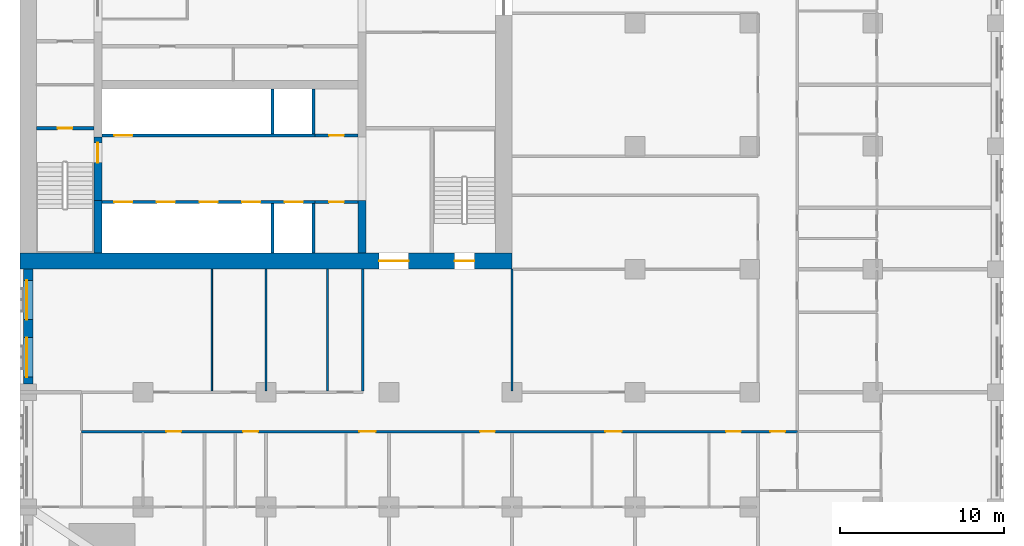
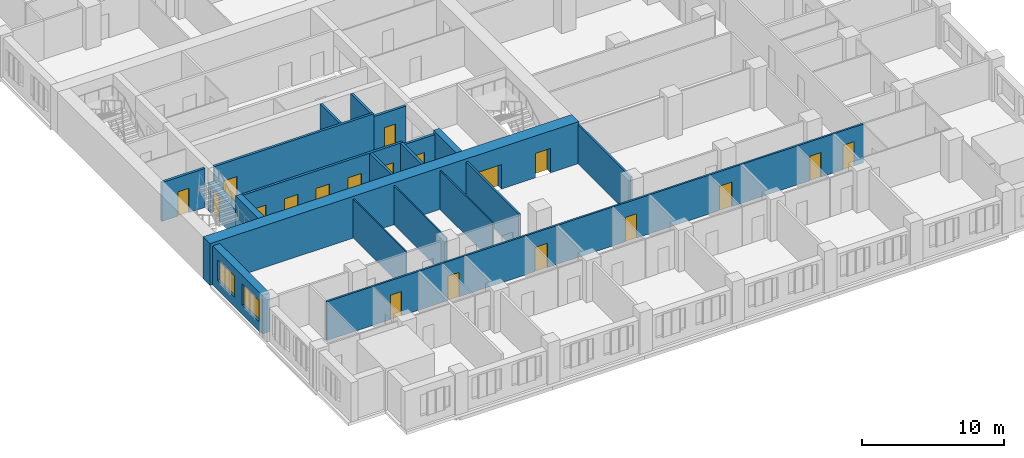
# One storey, part 5 of 14: 20 walls, 19 doors, 2 windows, 21 openings.
"""IFC4 building model written with IfcOpenShell, lengths in metres."""

import ifcopenshell
import ifcopenshell.guid

model = None  # the IFC model being written
_history = None  # IfcOwnerHistory: only IFC2X3 demands one
_inside = {}  # id of a spatial element -> (the spatial element, [elements in it])
_under = {}  # id of a project, library or spatial element -> (it, [spatial elements below it])
_declared = {}  # id of a project -> (the project, [libraries it declares])
_typed = {}  # id of a type object -> (the type object, [elements of that type])
_made_of = {}  # id of a material, layer set ... -> (it, [elements and type objects made of it])


def new_model(schema):
    """Start an empty IFC model of exactly this schema.

    Asked for "IFC4X3", IfcOpenShell would pick the latest addendum, in which some entities
    have other attributes; the version numbers below select the first issue.
    IFC2X3 requires an IfcOwnerHistory on every rooted entity: one is made here for all.
    """
    global model, _history
    if schema == "IFC4X3":
        model = ifcopenshell.file(schema_version=(4, 3, 0, 0))
    else:
        model = ifcopenshell.file(schema=schema)
    _inside.clear()
    _under.clear()
    _declared.clear()
    _typed.clear()
    _made_of.clear()
    _history = None
    if model.schema == "IFC2X3":
        org = make("IfcOrganization", Name="unknown")
        user = make(
            "IfcPersonAndOrganization",
            ThePerson=make("IfcPerson", FamilyName="unknown"),
            TheOrganization=org,
        )
        app = make(
            "IfcApplication",
            ApplicationDeveloper=org,
            Version="unknown",
            ApplicationFullName="unknown",
            ApplicationIdentifier="unknown",
        )
        _history = make(
            "IfcOwnerHistory",
            OwningUser=user,
            OwningApplication=app,
            ChangeAction="ADDED",
            CreationDate=0,
        )
    return model


def make(cls, **values):
    """One entity of the class cls with the attributes given. An attribute that is None is left unset."""
    return model.create_entity(
        cls, **{name: value for name, value in values.items() if value is not None}
    )


def rooted(cls, **values):
    """An entity with a GlobalId (a new one), such as an element, a storey or a relation."""
    return make(cls, GlobalId=ifcopenshell.guid.new(), OwnerHistory=_history, **values)


def si_unit(unit_type, name, prefix=None):
    """IfcSIUnit, for example si_unit("LENGTHUNIT", "METRE", prefix="MILLI")."""
    return make("IfcSIUnit", UnitType=unit_type, Prefix=prefix, Name=name)


def assignment(units):
    """IfcUnitAssignment: the units of a project."""
    return None if units is None else make("IfcUnitAssignment", Units=units)


def point(xyz):
    """IfcCartesianPoint."""
    return None if xyz is None else make("IfcCartesianPoint", Coordinates=xyz)


def direction(xyz):
    """IfcDirection."""
    return None if xyz is None else make("IfcDirection", DirectionRatios=xyz)


def frame(location, z_axis=None, x_axis=None):
    """IfcAxis2Placement3D, a coordinate frame: its origin and axes. An axis left out is left unset."""
    return make(
        "IfcAxis2Placement3D",
        Location=point(location),
        Axis=direction(z_axis),
        RefDirection=direction(x_axis),
    )


def frame_2d(location, x_axis=None):
    """IfcAxis2Placement2D, a coordinate frame in the plane: its origin and x axis."""
    return make(
        "IfcAxis2Placement2D", Location=point(location), RefDirection=direction(x_axis)
    )


def origin():
    """The frame at (0, 0, 0) with its axes left unset."""
    return frame((0.0, 0.0, 0.0))


def place(relative_to, where):
    """IfcLocalPlacement: puts the frame where relative to a parent placement (None: the world)."""
    return make(
        "IfcLocalPlacement", PlacementRelTo=relative_to, RelativePlacement=where
    )


def context(
    kind, dimensions, precision=None, world=None, true_north=None, identifier=None
):
    """IfcGeometricRepresentationContext, for example the 3D "Model" context."""
    return make(
        "IfcGeometricRepresentationContext",
        ContextIdentifier=identifier,
        ContextType=kind,
        CoordinateSpaceDimension=dimensions,
        Precision=precision,
        WorldCoordinateSystem=world,
        TrueNorth=true_north,
    )


def subcontext(parent, identifier, kind, view, scale=None):
    """IfcGeometricRepresentationSubContext, for example "Body" below "Model"."""
    return make(
        "IfcGeometricRepresentationSubContext",
        ContextIdentifier=identifier,
        ContextType=kind,
        ParentContext=parent,
        TargetScale=scale,
        TargetView=view,
    )


def project(units=None, contexts=None):
    """IfcProject with its units and contexts."""
    return rooted(
        "IfcProject",
        Name="project",
        RepresentationContexts=contexts,
        UnitsInContext=assignment(units),
    )


def spatial(cls, under=None, at=None, **own):
    """A site, building, storey or space (cls), placed at a placement, below another one or the project."""
    s = rooted(cls, ObjectPlacement=at, **own)
    if under is not None:
        _under.setdefault(under.id(), (under, []))[1].append(s)
    return s


def profile(cls, at=None, kind="AREA", **sizes):
    """A parametric profile (cls). Its sizes go by their IFC names, for example OverallWidth=200.0."""
    return make(cls, ProfileType=kind, Position=at, **sizes)


def rectangle(**sizes):
    """IfcRectangleProfileDef."""
    return profile("IfcRectangleProfileDef", **sizes)


def extrude(swept, where, along, depth):
    """IfcExtrudedAreaSolid: the profile swept, set in the frame where, extruded along a direction by depth."""
    return make(
        "IfcExtrudedAreaSolid",
        SweptArea=swept,
        Position=where,
        ExtrudedDirection=direction(along),
        Depth=depth,
    )


def shape(context_of_items, identifier, shape_type, items):
    """IfcShapeRepresentation: the items that make up one representation, for example the "Body"."""
    return make(
        "IfcShapeRepresentation",
        ContextOfItems=context_of_items,
        RepresentationIdentifier=identifier,
        RepresentationType=shape_type,
        Items=items,
    )


def material(Name=None, Category=None):
    """IfcMaterial."""
    return make("IfcMaterial", Name=Name, Category=Category)


def layer(
    of_material, thickness, ventilated=None, Name=None, Category=None, Priority=None
):
    """IfcMaterialLayer: one layer of a wall or slab, of a material (None: an air gap)."""
    return make(
        "IfcMaterialLayer",
        Material=of_material,
        LayerThickness=thickness,
        IsVentilated=ventilated,
        Name=Name,
        Category=Category,
        Priority=Priority,
    )


def layer_set(layers, Name=None):
    """IfcMaterialLayerSet."""
    return make("IfcMaterialLayerSet", MaterialLayers=layers, LayerSetName=Name)


def made_of(thing, what):
    """Note that an element or type object is made of a material, layer set ...; save() writes the relation."""
    if what is not None:
        _made_of.setdefault(what.id(), (what, []))[1].append(thing)
    return thing


def type_object(cls, material=None, **own):
    """A type object (cls), such as IfcWallType, which elements share."""
    return made_of(rooted(cls, **own), material)


def element(
    cls,
    number,
    at=None,
    inside=None,
    cuts=None,
    type_object=None,
    material=None,
    context=None,
    identifier="Body",
    shape_type=None,
    held_by="IfcProductDefinitionShape",
    body=None,
    shapes=None,
    **own,
):
    """One element of the class cls, such as IfcWall. Its Tag is "e" and its number.

    at: its placement. inside: the storey or other place that contains it. cuts: it is an
    opening in that element (IfcRelVoidsElement). A single representation is given by context,
    identifier, shape_type and body (its items); several are given by shapes. held_by: the class
    of the entity that holds the representations. save() writes the other relations.
    """
    e = rooted(cls, Tag="e%d" % number, ObjectPlacement=at, **own)
    if body is not None:
        shapes = [shape(context, identifier, shape_type, body)]
    if shapes is not None:
        e.Representation = make(held_by, Representations=shapes)
    if inside is not None:
        _inside.setdefault(inside.id(), (inside, []))[1].append(e)
    if cuts is not None:
        rooted(
            "IfcRelVoidsElement", RelatingBuildingElement=cuts, RelatedOpeningElement=e
        )
    if type_object is not None:
        _typed.setdefault(type_object.id(), (type_object, []))[1].append(e)
    return made_of(e, material)


def fill(opening, filler):
    """IfcRelFillsElement: the door or window that sits in an opening."""
    return rooted(
        "IfcRelFillsElement",
        RelatingOpeningElement=opening,
        RelatedBuildingElement=filler,
    )


def aggregate(whole, parts):
    """IfcRelAggregates: a whole, such as a stair, and the parts it consists of."""
    return rooted("IfcRelAggregates", RelatingObject=whole, RelatedObjects=parts)


def save(model, path):
    """Write the relations noted so far, then the file.

    IfcRelAggregates (storeys below a building ...), IfcRelContainedInSpatialStructure (elements
    in a storey), IfcRelDefinesByType, IfcRelAssociatesMaterial and IfcRelDeclares: one each for
    every whole, place, type object, material and project.
    """
    for whole, parts in _under.values():
        aggregate(whole, parts)
    for where, things in _inside.values():
        rooted(
            "IfcRelContainedInSpatialStructure",
            RelatedElements=things,
            RelatingStructure=where,
        )
    for kind, things in _typed.values():
        rooted("IfcRelDefinesByType", RelatedObjects=things, RelatingType=kind)
    for what, things in _made_of.values():
        rooted("IfcRelAssociatesMaterial", RelatedObjects=things, RelatingMaterial=what)
    for by, libraries in _declared.values():
        rooted("IfcRelDeclares", RelatingContext=by, RelatedDefinitions=libraries)
    model.write(path)


model = new_model("IFC4")

# Units and contexts
model_context = context("Model", 3, precision=1e-05, world=origin(), true_north=direction((0.0, 1.0)))
body_context = subcontext(model_context, "Body", "Model", "MODEL_VIEW")
ifc_project = project(units=[si_unit("LENGTHUNIT", "METRE"), si_unit("AREAUNIT", "SQUARE_METRE"), si_unit("VOLUMEUNIT", "CUBIC_METRE"), si_unit("PLANEANGLEUNIT", "RADIAN"), si_unit("MASSUNIT", "GRAM", prefix="KILO")], contexts=[model_context])

# Site, building, storey
site_placement = place(None, origin())
site = spatial("IfcSite", under=ifc_project, at=site_placement, CompositionType="ELEMENT")
building_placement = place(site_placement, origin())
building = spatial("IfcBuilding", under=site, at=building_placement, Name="Tamorin Gate", CompositionType="ELEMENT")
storey_placement = place(building_placement, frame((0.0, 0.0, 59.199951171875)))
storey = spatial("IfcBuildingStorey", under=building, at=storey_placement, Name="L13", CompositionType="ELEMENT", Elevation=59.199951171875)

# Wall, openings, windows
ifc_material_1 = material(Name="Precast concrete C40/50", Category="concrete")
ifc_layer_1 = layer(ifc_material_1, 0.60009765625)
ifc_layer_set_1 = layer_set([ifc_layer_1], Name="Precast concrete C40/50")
wall_type_1 = type_object("IfcWallType", Name="Board-marked concrete facade panel 600", PredefinedType="SOLIDWALL", material=ifc_layer_set_1)
wall_1_placement = place(storey_placement, frame((30.5, 60.0, 0.0), z_axis=(0.0, 0.0, 1.0), x_axis=(0.0, -1.0, 0.0)))
wall_1 = element("IfcWall", 1, at=wall_1_placement, inside=storey, type_object=wall_type_1, Name="Facade panel", PredefinedType="SOLIDWALL", context=body_context, shape_type="SweptSolid", body=[
    extrude(rectangle(XDim=7.0, YDim=0.60009765625, at=frame_2d((3.5, 0.0))), origin(), (0.0, 0.0, 1.0), 3.35009765625),
])
opening_1_placement = place(wall_1_placement, frame((4.175048828125, 0.0, 0.800048828125)))
opening_1 = element("IfcOpeningElement", 2, at=opening_1_placement, cuts=wall_1, Name="Opening WN1", PredefinedType="OPENING", context=body_context, shape_type="SweptSolid", body=[
    extrude(rectangle(XDim=2.39990234375, YDim=1.800048828125, at=frame_2d((1.199951171875, 0.89990234375))), frame((0.0, 0.31005859375, 0.0), z_axis=(0.0, -1.0, 0.0), x_axis=(1.0, 0.0, 0.0)), (0.0, 0.0, 1.0), 0.6201171875),
])
opening_2_placement = place(wall_1_placement, frame((0.675048828125, 0.0, 0.800048828125)))
opening_2 = element("IfcOpeningElement", 3, at=opening_2_placement, cuts=wall_1, Name="Opening WN1", PredefinedType="OPENING", context=body_context, shape_type="SweptSolid", body=[
    extrude(rectangle(XDim=2.39990234375, YDim=1.800048828125, at=frame_2d((1.199951171875, 0.89990234375))), frame((0.0, 0.31005859375, 0.0), z_axis=(0.0, -1.0, 0.0), x_axis=(1.0, 0.0, 0.0)), (0.0, 0.0, 1.0), 0.6201171875),
])
ifc_material_2 = material(Name="Clear glass in aluminium frame", Category="aluminium")
window_type = type_object("IfcWindowType", Name="Deep-set window 2400x1800", PartitioningType="SINGLE_PANEL", PredefinedType="WINDOW", material=ifc_material_2)
window_1_placement = place(opening_1_placement, origin())
window_1 = element("IfcWindow", 4, at=window_1_placement, inside=storey, type_object=window_type, Name="Deep-set window", OverallHeight=1.800048828125, OverallWidth=2.39990234375, PartitioningType="SINGLE_PANEL", PredefinedType="WINDOW", context=body_context, shape_type="SweptSolid", body=[
    extrude(rectangle(XDim=2.39990234375, YDim=1.800048828125, at=frame_2d((1.199951171875, 0.89990234375))), frame((0.0, -0.070068359375, 0.0), z_axis=(0.0, -1.0, 0.0), x_axis=(1.0, 0.0, 0.0)), (0.0, 0.0, 1.0), 0.06005859375),
])
fill(opening_1, window_1)
window_2_placement = place(opening_2_placement, origin())
window_2 = element("IfcWindow", 5, at=window_2_placement, inside=storey, type_object=window_type, Name="Deep-set window", OverallHeight=1.800048828125, OverallWidth=2.39990234375, PartitioningType="SINGLE_PANEL", PredefinedType="WINDOW", context=body_context, shape_type="SweptSolid", body=[
    extrude(rectangle(XDim=2.39990234375, YDim=1.800048828125, at=frame_2d((1.199951171875, 0.89990234375))), frame((0.0, -0.070068359375, 0.0), z_axis=(0.0, -1.0, 0.0), x_axis=(1.0, 0.0, 0.0)), (0.0, 0.0, 1.0), 0.06005859375),
])
fill(opening_2, window_2)

# Wall, openings, doors
ifc_material_3 = material(Name="Gypsum board partition")
ifc_layer_2 = layer(ifc_material_3, 0.14990234375)
ifc_layer_set_2 = layer_set([ifc_layer_2], Name="Corridor wall 150")
wall_type_2 = type_object("IfcWallType", Name="Corridor wall 150", PredefinedType="PARTITIONING", material=ifc_layer_set_2)
wall_2_placement = place(storey_placement, frame((33.75, 50.10009765625, 0.0), z_axis=(0.0, 0.0, 1.0), x_axis=(1.0, 0.0, 0.0)))
wall_2 = element("IfcWall", 6, at=wall_2_placement, inside=storey, type_object=wall_type_2, Name="Corridor wall 150", PredefinedType="PARTITIONING", context=body_context, shape_type="SweptSolid", body=[
    extrude(rectangle(XDim=43.64990234375, YDim=0.14990234375, at=frame_2d((21.824951171875, 0.0))), origin(), (0.0, 0.0, 1.0), 3.35009765625),
])
opening_3_placement = place(wall_2_placement, frame((5.175048828125, 0.0, 0.0)))
opening_3 = element("IfcOpeningElement", 7, at=opening_3_placement, cuts=wall_2, Name="Opening DH4003", PredefinedType="OPENING", context=body_context, shape_type="SweptSolid", body=[
    extrude(rectangle(XDim=0.89990234375, YDim=2.10009765625, at=frame_2d((0.449951171875, 1.050048828125))), frame((0.0, 0.0849609375, 0.0), z_axis=(0.0, -1.0, 0.0), x_axis=(1.0, 0.0, 0.0)), (0.0, 0.0, 1.0), 0.169921875),
])
opening_4_placement = place(wall_2_placement, frame((9.862548828125, 0.0, 0.0)))
opening_4 = element("IfcOpeningElement", 8, at=opening_4_placement, cuts=wall_2, Name="Opening DH4006", PredefinedType="OPENING", context=body_context, shape_type="SweptSolid", body=[
    extrude(rectangle(XDim=0.89990234375, YDim=2.10009765625, at=frame_2d((0.449951171875, 1.050048828125))), frame((0.0, 0.0849609375, 0.0), z_axis=(0.0, -1.0, 0.0), x_axis=(1.0, 0.0, 0.0)), (0.0, 0.0, 1.0), 0.169921875),
])
opening_5_placement = place(wall_2_placement, frame((16.9375, 0.0, 0.0)))
opening_5 = element("IfcOpeningElement", 9, at=opening_5_placement, cuts=wall_2, Name="Opening DH4009", PredefinedType="OPENING", context=body_context, shape_type="SweptSolid", body=[
    extrude(rectangle(XDim=1.0, YDim=2.10009765625, at=frame_2d((0.5, 1.050048828125))), frame((0.0, 0.0849609375, 0.0), z_axis=(0.0, -1.0, 0.0), x_axis=(1.0, 0.0, 0.0)), (0.0, 0.0, 1.0), 0.169921875),
])
opening_6_placement = place(wall_2_placement, frame((24.300048828125, 0.0, 0.0)))
opening_6 = element("IfcOpeningElement", 10, at=opening_6_placement, cuts=wall_2, Name="Opening DH4012", PredefinedType="OPENING", context=body_context, shape_type="SweptSolid", body=[
    extrude(rectangle(XDim=0.89990234375, YDim=2.10009765625, at=frame_2d((0.449951171875, 1.050048828125))), frame((0.0, 0.0849609375, 0.0), z_axis=(0.0, -1.0, 0.0), x_axis=(1.0, 0.0, 0.0)), (0.0, 0.0, 1.0), 0.169921875),
])
opening_7_placement = place(wall_2_placement, frame((31.9375, 0.0, 0.0)))
opening_7 = element("IfcOpeningElement", 11, at=opening_7_placement, cuts=wall_2, Name="Opening DH4015", PredefinedType="OPENING", context=body_context, shape_type="SweptSolid", body=[
    extrude(rectangle(XDim=1.0, YDim=2.10009765625, at=frame_2d((0.5, 1.050048828125))), frame((0.0, 0.0849609375, 0.0), z_axis=(0.0, -1.0, 0.0), x_axis=(1.0, 0.0, 0.0)), (0.0, 0.0, 1.0), 0.169921875),
])
opening_8_placement = place(wall_2_placement, frame((39.300048828125, 0.0, 0.0)))
opening_8 = element("IfcOpeningElement", 12, at=opening_8_placement, cuts=wall_2, Name="Opening DH4018", PredefinedType="OPENING", context=body_context, shape_type="SweptSolid", body=[
    extrude(rectangle(XDim=0.89990234375, YDim=2.10009765625, at=frame_2d((0.449951171875, 1.050048828125))), frame((0.0, 0.0849609375, 0.0), z_axis=(0.0, -1.0, 0.0), x_axis=(1.0, 0.0, 0.0)), (0.0, 0.0, 1.0), 0.169921875),
])
opening_9_placement = place(wall_2_placement, frame((42.0, 0.0, 0.0)))
opening_9 = element("IfcOpeningElement", 13, at=opening_9_placement, cuts=wall_2, Name="Opening DH4060", PredefinedType="OPENING", context=body_context, shape_type="SweptSolid", body=[
    extrude(rectangle(XDim=0.89990234375, YDim=2.10009765625, at=frame_2d((0.449951171875, 1.050048828125))), frame((0.0, 0.0849609375, 0.0), z_axis=(0.0, -1.0, 0.0), x_axis=(1.0, 0.0, 0.0)), (0.0, 0.0, 1.0), 0.169921875),
])
ifc_material_4 = material(Name="Timber door leaf", Category="wood")
door_type_1 = type_object("IfcDoorType", Name="Door 1000 x 2100 FD30S", OperationType="NOTDEFINED", PredefinedType="DOOR", material=ifc_material_4)
door_1_placement = place(opening_5_placement, origin())
door_1 = element("IfcDoor", 14, at=door_1_placement, inside=storey, type_object=door_type_1, Name="Door DH4009", OperationType="SINGLE_SWING_RIGHT", OverallHeight=2.10009765625, OverallWidth=1.0, PredefinedType="DOOR", context=body_context, shape_type="SweptSolid", body=[
    extrude(rectangle(XDim=1.0, YDim=2.10009765625, at=frame_2d((0.5, 1.050048828125))), frame((0.0, 0.02490234375, 0.0), z_axis=(0.0, -1.0, 0.0), x_axis=(1.0, 0.0, 0.0)), (0.0, 0.0, 1.0), 0.050048828125),
])
fill(opening_5, door_1)
door_2_placement = place(opening_7_placement, origin())
door_2 = element("IfcDoor", 15, at=door_2_placement, inside=storey, type_object=door_type_1, Name="Door DH4015", OperationType="SINGLE_SWING_RIGHT", OverallHeight=2.10009765625, OverallWidth=1.0, PredefinedType="DOOR", context=body_context, shape_type="SweptSolid", body=[
    extrude(rectangle(XDim=1.0, YDim=2.10009765625, at=frame_2d((0.5, 1.050048828125))), frame((0.0, 0.02490234375, 0.0), z_axis=(0.0, -1.0, 0.0), x_axis=(1.0, 0.0, 0.0)), (0.0, 0.0, 1.0), 0.050048828125),
])
fill(opening_7, door_2)
door_type_2 = type_object("IfcDoorType", Name="Door 900 x 2100 FD30S", OperationType="NOTDEFINED", PredefinedType="DOOR", material=ifc_material_4)
door_3_placement = place(opening_3_placement, origin())
door_3 = element("IfcDoor", 16, at=door_3_placement, inside=storey, type_object=door_type_2, Name="Door DH4003", OperationType="SINGLE_SWING_RIGHT", OverallHeight=2.10009765625, OverallWidth=0.89990234375, PredefinedType="DOOR", context=body_context, shape_type="SweptSolid", body=[
    extrude(rectangle(XDim=0.89990234375, YDim=2.10009765625, at=frame_2d((0.449951171875, 1.050048828125))), frame((0.0, 0.02490234375, 0.0), z_axis=(0.0, -1.0, 0.0), x_axis=(1.0, 0.0, 0.0)), (0.0, 0.0, 1.0), 0.050048828125),
])
fill(opening_3, door_3)
door_4_placement = place(opening_4_placement, origin())
door_4 = element("IfcDoor", 17, at=door_4_placement, inside=storey, type_object=door_type_2, Name="Door DH4006", OperationType="SINGLE_SWING_RIGHT", OverallHeight=2.10009765625, OverallWidth=0.89990234375, PredefinedType="DOOR", context=body_context, shape_type="SweptSolid", body=[
    extrude(rectangle(XDim=0.89990234375, YDim=2.10009765625, at=frame_2d((0.449951171875, 1.050048828125))), frame((0.0, 0.02490234375, 0.0), z_axis=(0.0, -1.0, 0.0), x_axis=(1.0, 0.0, 0.0)), (0.0, 0.0, 1.0), 0.050048828125),
])
fill(opening_4, door_4)
door_5_placement = place(opening_6_placement, origin())
door_5 = element("IfcDoor", 18, at=door_5_placement, inside=storey, type_object=door_type_2, Name="Door DH4012", OperationType="SINGLE_SWING_RIGHT", OverallHeight=2.10009765625, OverallWidth=0.89990234375, PredefinedType="DOOR", context=body_context, shape_type="SweptSolid", body=[
    extrude(rectangle(XDim=0.89990234375, YDim=2.10009765625, at=frame_2d((0.449951171875, 1.050048828125))), frame((0.0, 0.02490234375, 0.0), z_axis=(0.0, -1.0, 0.0), x_axis=(1.0, 0.0, 0.0)), (0.0, 0.0, 1.0), 0.050048828125),
])
fill(opening_6, door_5)
door_6_placement = place(opening_8_placement, origin())
door_6 = element("IfcDoor", 19, at=door_6_placement, inside=storey, type_object=door_type_2, Name="Door DH4018", OperationType="SINGLE_SWING_RIGHT", OverallHeight=2.10009765625, OverallWidth=0.89990234375, PredefinedType="DOOR", context=body_context, shape_type="SweptSolid", body=[
    extrude(rectangle(XDim=0.89990234375, YDim=2.10009765625, at=frame_2d((0.449951171875, 1.050048828125))), frame((0.0, 0.02490234375, 0.0), z_axis=(0.0, -1.0, 0.0), x_axis=(1.0, 0.0, 0.0)), (0.0, 0.0, 1.0), 0.050048828125),
])
fill(opening_8, door_6)
door_7_placement = place(opening_9_placement, origin())
door_7 = element("IfcDoor", 20, at=door_7_placement, inside=storey, type_object=door_type_2, Name="Door DH4060", OperationType="SINGLE_SWING_LEFT", OverallHeight=2.10009765625, OverallWidth=0.89990234375, PredefinedType="DOOR", context=body_context, shape_type="SweptSolid", body=[
    extrude(rectangle(XDim=0.89990234375, YDim=2.10009765625, at=frame_2d((0.449951171875, 1.050048828125))), frame((0.0, 0.02490234375, 0.0), z_axis=(0.0, -1.0, 0.0), x_axis=(1.0, 0.0, 0.0)), (0.0, 0.0, 1.0), 0.050048828125),
])
fill(opening_9, door_7)

ifc_material_5 = material(Name="Concrete C32/40", Category="concrete")
ifc_layer_3 = layer(ifc_material_5, 0.199951171875)
ifc_layer_set_3 = layer_set([ifc_layer_3], Name="Lift lobby face wall 200 EI 120")
wall_type_3 = type_object("IfcWallType", Name="Lift lobby face wall 200 EI 120", PredefinedType="SOLIDWALL", material=ifc_layer_set_3)
wall_3_placement = place(storey_placement, frame((35.0, 64.10009765625, 0.0), z_axis=(0.0, 0.0, 1.0), x_axis=(1.0, 0.0, 0.0)))
wall_3 = element("IfcWall", 21, at=wall_3_placement, inside=storey, type_object=wall_type_3, Name="Lift lobby face wall", PredefinedType="SOLIDWALL", context=body_context, shape_type="SweptSolid", body=[
    extrude(rectangle(XDim=13.0, YDim=0.199951171875, at=frame_2d((6.5, 0.0))), origin(), (0.0, 0.0, 1.0), 3.60009765625),
])
opening_10_placement = place(wall_3_placement, frame((0.75, 0.0, 0.0)))
opening_10 = element("IfcOpeningElement", 22, at=opening_10_placement, cuts=wall_3, Name="Opening LD1", PredefinedType="OPENING", context=body_context, shape_type="SweptSolid", body=[
    extrude(rectangle(XDim=1.10009765625, YDim=2.10009765625, at=frame_2d((0.550048828125, 1.050048828125))), frame((0.0, 0.10986328125, 0.0), z_axis=(0.0, -1.0, 0.0), x_axis=(1.0, 0.0, 0.0)), (0.0, 0.0, 1.0), 0.219970703125),
])
opening_11_placement = place(wall_3_placement, frame((3.35009765625, 0.0, 0.0)))
opening_11 = element("IfcOpeningElement", 23, at=opening_11_placement, cuts=wall_3, Name="Opening LD2", PredefinedType="OPENING", context=body_context, shape_type="SweptSolid", body=[
    extrude(rectangle(XDim=1.10009765625, YDim=2.10009765625, at=frame_2d((0.550048828125, 1.050048828125))), frame((0.0, 0.10986328125, 0.0), z_axis=(0.0, -1.0, 0.0), x_axis=(1.0, 0.0, 0.0)), (0.0, 0.0, 1.0), 0.219970703125),
])
opening_12_placement = place(wall_3_placement, frame((5.949951171875, 0.0, 0.0)))
opening_12 = element("IfcOpeningElement", 24, at=opening_12_placement, cuts=wall_3, Name="Opening LD3", PredefinedType="OPENING", context=body_context, shape_type="SweptSolid", body=[
    extrude(rectangle(XDim=1.10009765625, YDim=2.10009765625, at=frame_2d((0.550048828125, 1.050048828125))), frame((0.0, 0.10986328125, 0.0), z_axis=(0.0, -1.0, 0.0), x_axis=(1.0, 0.0, 0.0)), (0.0, 0.0, 1.0), 0.219970703125),
])
opening_13_placement = place(wall_3_placement, frame((8.550048828125, 0.0, 0.0)))
opening_13 = element("IfcOpeningElement", 25, at=opening_13_placement, cuts=wall_3, Name="Opening LD4", PredefinedType="OPENING", context=body_context, shape_type="SweptSolid", body=[
    extrude(rectangle(XDim=1.10009765625, YDim=2.10009765625, at=frame_2d((0.550048828125, 1.050048828125))), frame((0.0, 0.10986328125, 0.0), z_axis=(0.0, -1.0, 0.0), x_axis=(1.0, 0.0, 0.0)), (0.0, 0.0, 1.0), 0.219970703125),
])
opening_14_placement = place(wall_3_placement, frame((11.14990234375, 0.0, 0.0)))
opening_14 = element("IfcOpeningElement", 26, at=opening_14_placement, cuts=wall_3, Name="Opening LD5", PredefinedType="OPENING", context=body_context, shape_type="SweptSolid", body=[
    extrude(rectangle(XDim=1.10009765625, YDim=2.10009765625, at=frame_2d((0.550048828125, 1.050048828125))), frame((0.0, 0.10986328125, 0.0), z_axis=(0.0, -1.0, 0.0), x_axis=(1.0, 0.0, 0.0)), (0.0, 0.0, 1.0), 0.219970703125),
])
ifc_material_6 = material(Name="Stainless steel sliding door", Category="steel")
door_type_3 = type_object("IfcDoorType", Name="Lift landing door 1100 x 2100 E 90", OperationType="DOUBLE_DOOR_SLIDING", PredefinedType="DOOR", material=ifc_material_6)
door_8_placement = place(opening_10_placement, origin())
door_8 = element("IfcDoor", 27, at=door_8_placement, inside=storey, type_object=door_type_3, Name="LR1 landing door", OperationType="DOUBLE_DOOR_SLIDING", OverallHeight=2.10009765625, OverallWidth=1.10009765625, PredefinedType="DOOR", context=body_context, shape_type="SweptSolid", body=[
    extrude(rectangle(XDim=1.10009765625, YDim=2.10009765625, at=frame_2d((0.550048828125, 1.050048828125))), frame((0.0, 0.02490234375, 0.0), z_axis=(0.0, -1.0, 0.0), x_axis=(1.0, 0.0, 0.0)), (0.0, 0.0, 1.0), 0.050048828125),
])
fill(opening_10, door_8)
door_9_placement = place(opening_11_placement, origin())
door_9 = element("IfcDoor", 28, at=door_9_placement, inside=storey, type_object=door_type_3, Name="LR2 landing door", OperationType="DOUBLE_DOOR_SLIDING", OverallHeight=2.10009765625, OverallWidth=1.10009765625, PredefinedType="DOOR", context=body_context, shape_type="SweptSolid", body=[
    extrude(rectangle(XDim=1.10009765625, YDim=2.10009765625, at=frame_2d((0.550048828125, 1.050048828125))), frame((0.0, 0.02490234375, 0.0), z_axis=(0.0, -1.0, 0.0), x_axis=(1.0, 0.0, 0.0)), (0.0, 0.0, 1.0), 0.050048828125),
])
fill(opening_11, door_9)
door_10_placement = place(opening_12_placement, origin())
door_10 = element("IfcDoor", 29, at=door_10_placement, inside=storey, type_object=door_type_3, Name="LR3 landing door", OperationType="DOUBLE_DOOR_SLIDING", OverallHeight=2.10009765625, OverallWidth=1.10009765625, PredefinedType="DOOR", context=body_context, shape_type="SweptSolid", body=[
    extrude(rectangle(XDim=1.10009765625, YDim=2.10009765625, at=frame_2d((0.550048828125, 1.050048828125))), frame((0.0, 0.02490234375, 0.0), z_axis=(0.0, -1.0, 0.0), x_axis=(1.0, 0.0, 0.0)), (0.0, 0.0, 1.0), 0.050048828125),
])
fill(opening_12, door_10)
door_11_placement = place(opening_13_placement, origin())
door_11 = element("IfcDoor", 30, at=door_11_placement, inside=storey, type_object=door_type_3, Name="LR4 landing door", OperationType="DOUBLE_DOOR_SLIDING", OverallHeight=2.10009765625, OverallWidth=1.10009765625, PredefinedType="DOOR", context=body_context, shape_type="SweptSolid", body=[
    extrude(rectangle(XDim=1.10009765625, YDim=2.10009765625, at=frame_2d((0.550048828125, 1.050048828125))), frame((0.0, 0.02490234375, 0.0), z_axis=(0.0, -1.0, 0.0), x_axis=(1.0, 0.0, 0.0)), (0.0, 0.0, 1.0), 0.050048828125),
])
fill(opening_13, door_11)
door_12_placement = place(opening_14_placement, origin())
door_12 = element("IfcDoor", 31, at=door_12_placement, inside=storey, type_object=door_type_3, Name="LR5 landing door", OperationType="DOUBLE_DOOR_SLIDING", OverallHeight=2.10009765625, OverallWidth=1.10009765625, PredefinedType="DOOR", context=body_context, shape_type="SweptSolid", body=[
    extrude(rectangle(XDim=1.10009765625, YDim=2.10009765625, at=frame_2d((0.550048828125, 1.050048828125))), frame((0.0, 0.02490234375, 0.0), z_axis=(0.0, -1.0, 0.0), x_axis=(1.0, 0.0, 0.0)), (0.0, 0.0, 1.0), 0.050048828125),
])
fill(opening_14, door_12)

# Wall, opening, door
wall_4_placement = place(storey_placement, frame((35.0, 68.14990234375, 0.0), z_axis=(0.0, 0.0, 1.0), x_axis=(1.0, 0.0, 0.0)))
wall_4 = element("IfcWall", 32, at=wall_4_placement, inside=storey, type_object=wall_type_3, Name="Lift lobby face wall", PredefinedType="SOLIDWALL", context=body_context, shape_type="SweptSolid", body=[
    extrude(rectangle(XDim=13.0, YDim=0.199951171875, at=frame_2d((6.5, 0.0))), origin(), (0.0, 0.0, 1.0), 3.60009765625),
])
opening_15_placement = place(wall_4_placement, frame((0.75, 0.0, 0.0)))
opening_15 = element("IfcOpeningElement", 33, at=opening_15_placement, cuts=wall_4, Name="Opening LD6", PredefinedType="OPENING", context=body_context, shape_type="SweptSolid", body=[
    extrude(rectangle(XDim=1.10009765625, YDim=2.10009765625, at=frame_2d((0.550048828125, 1.050048828125))), frame((0.0, 0.10986328125, 0.0), z_axis=(0.0, -1.0, 0.0), x_axis=(1.0, 0.0, 0.0)), (0.0, 0.0, 1.0), 0.219970703125),
])
door_13_placement = place(opening_15_placement, origin())
door_13 = element("IfcDoor", 34, at=door_13_placement, inside=storey, type_object=door_type_3, Name="LR6 landing door", OperationType="DOUBLE_DOOR_SLIDING", OverallHeight=2.10009765625, OverallWidth=1.10009765625, PredefinedType="DOOR", context=body_context, shape_type="SweptSolid", body=[
    extrude(rectangle(XDim=1.10009765625, YDim=2.10009765625, at=frame_2d((0.550048828125, 1.050048828125))), frame((0.0, 0.02490234375, 0.0), z_axis=(0.0, -1.0, 0.0), x_axis=(1.0, 0.0, 0.0)), (0.0, 0.0, 1.0), 0.050048828125),
])
fill(opening_15, door_13)

# Walls
ifc_layer_4 = layer(ifc_material_5, 0.199951171875)
ifc_layer_set_4 = layer_set([ifc_layer_4], Name="Lift shaft wall 200 EI 120")
wall_type_4 = type_object("IfcWallType", Name="Lift shaft wall 200 EI 120", PredefinedType="SOLIDWALL", material=ifc_layer_set_4)
for number, where, z_axis, x_axis, name in (
    (35, (45.39990234375, 61.0, 0.0), (0.0, 0.0, 1.0), (0.0, 1.0, 0.0), "Lift shaft wall"),
    (36, (47.89990234375, 61.0, 0.0), (0.0, 0.0, 1.0), (0.0, 1.0, 0.0), "Lift shaft wall"),
):
    element("IfcWall", number, at=place(storey_placement, frame(where, z_axis=z_axis, x_axis=x_axis)), inside=storey, type_object=wall_type_4, Name=name, PredefinedType="SOLIDWALL", context=body_context, shape_type="SweptSolid", body=[
        extrude(rectangle(XDim=3.0, YDim=0.199951171875, at=frame_2d((1.5, 0.0))), origin(), (0.0, 0.0, 1.0), 3.60009765625),
    ])
for number, where, z_axis, x_axis, name in (
    (37, (45.39990234375, 68.25, 0.0), (0.0, 0.0, 1.0), (0.0, 1.0, 0.0), "Lift shaft wall"),
    (38, (47.89990234375, 68.25, 0.0), (0.0, 0.0, 1.0), (0.0, 1.0, 0.0), "Lift shaft wall"),
):
    element("IfcWall", number, at=place(storey_placement, frame(where, z_axis=z_axis, x_axis=x_axis)), inside=storey, type_object=wall_type_4, Name=name, PredefinedType="SOLIDWALL", context=body_context, shape_type="SweptSolid", body=[
        extrude(rectangle(XDim=2.75, YDim=0.199951171875, at=frame_2d((1.375, 0.0))), origin(), (0.0, 0.0, 1.0), 3.60009765625),
    ])
ifc_layer_5 = layer(ifc_material_3, 0.14990234375)
ifc_layer_set_5 = layer_set([ifc_layer_5], Name="Lobby wall 150")
wall_type_5 = type_object("IfcWallType", Name="Lobby wall 150", PredefinedType="PARTITIONING", material=ifc_layer_set_5)
for number, where, z_axis, x_axis, name in (
    (39, (50.89990234375, 52.574951171875, 0.0), (0.0, 0.0, 1.0), (0.0, 1.0, 0.0), "Lobby wall 150"),
    (40, (60.0, 52.574951171875, 0.0), (0.0, 0.0, 1.0), (0.0, 1.0, 0.0), "Lobby wall 150"),
):
    element("IfcWall", number, at=place(storey_placement, frame(where, z_axis=z_axis, x_axis=x_axis)), inside=storey, type_object=wall_type_5, Name=name, PredefinedType="PARTITIONING", context=body_context, shape_type="SweptSolid", body=[
        extrude(rectangle(XDim=7.425048828125, YDim=0.14990234375, at=frame_2d((3.71240234375, 0.0))), origin(), (0.0, 0.0, 1.0), 3.35009765625),
    ])
ifc_material_7 = material(Name="Concrete C80/95", Category="concrete")
ifc_layer_6 = layer(ifc_material_7, 0.5)
ifc_layer_set_6 = layer_set([ifc_layer_6], Name="RC core internal wall 500 C80/95")
wall_type_6 = type_object("IfcWallType", Name="RC core internal wall 500 C80/95", PredefinedType="SHEAR", material=ifc_layer_set_6)
for number, where, z_axis, x_axis, name in (
    (41, (34.75, 61.0, 0.0), (0.0, 0.0, 1.0), (0.0, 1.0, 0.0), "Core cross wall L13"),
    (42, (50.85009765625, 61.0, 0.0), (0.0, 0.0, 1.0), (0.0, 1.0, 0.0), "Core cross wall L13"),
):
    element("IfcWall", number, at=place(storey_placement, frame(where, z_axis=z_axis, x_axis=x_axis)), inside=storey, type_object=wall_type_6, Name=name, PredefinedType="SHEAR", context=body_context, shape_type="SweptSolid", body=[
        extrude(rectangle(XDim=3.199951171875, YDim=0.5, at=frame_2d((1.60009765625, 0.0))), origin(), (0.0, 0.0, 1.0), 3.60009765625),
    ])

# Wall, openings, doors
ifc_layer_7 = layer(ifc_material_7, 1.0)
ifc_layer_set_7 = layer_set([ifc_layer_7], Name="RC core wall 1000 C80/95")
wall_type_7 = type_object("IfcWallType", Name="RC core wall 1000 C80/95", PredefinedType="SHEAR", material=ifc_layer_set_7)
wall_5_placement = place(storey_placement, frame((30.0, 60.5, 0.0), z_axis=(0.0, 0.0, 1.0), x_axis=(1.0, 0.0, 0.0)))
wall_5 = element("IfcWall", 43, at=wall_5_placement, inside=storey, type_object=wall_type_7, Name="Core wall L13", PredefinedType="SHEAR", context=body_context, shape_type="SweptSolid", body=[
    extrude(rectangle(XDim=30.0, YDim=1.0, at=frame_2d((15.0, 0.0))), origin(), (0.0, 0.0, 1.0), 3.60009765625),
])
opening_16_placement = place(wall_5_placement, frame((21.89990234375, 0.0, 0.0)))
opening_16 = element("IfcOpeningElement", 44, at=opening_16_placement, cuts=wall_5, Name="Opening DE1", PredefinedType="OPENING", context=body_context, shape_type="SweptSolid", body=[
    extrude(rectangle(XDim=1.800048828125, YDim=2.10009765625, at=frame_2d((0.89990234375, 1.050048828125))), frame((0.0, 0.510009765625, 0.0), z_axis=(0.0, -1.0, 0.0), x_axis=(1.0, 0.0, 0.0)), (0.0, 0.0, 1.0), 1.02001953125),
])
opening_17_placement = place(wall_5_placement, frame((26.5, 0.0, 0.0)))
opening_17 = element("IfcOpeningElement", 45, at=opening_17_placement, cuts=wall_5, Name="Opening DS1", PredefinedType="OPENING", context=body_context, shape_type="SweptSolid", body=[
    extrude(rectangle(XDim=1.199951171875, YDim=2.10009765625, at=frame_2d((0.60009765625, 1.050048828125))), frame((0.0, 0.510009765625, 0.0), z_axis=(0.0, -1.0, 0.0), x_axis=(1.0, 0.0, 0.0)), (0.0, 0.0, 1.0), 1.02001953125),
])
ifc_material_8 = material(Name="Steel fire door", Category="steel")
door_type_4 = type_object("IfcDoorType", Name="Lobby exit double door 1800 x 2100 EI 60", OperationType="DOUBLE_DOOR_SINGLE_SWING", PredefinedType="DOOR", material=ifc_material_8)
door_14_placement = place(opening_16_placement, origin())
door_14 = element("IfcDoor", 46, at=door_14_placement, inside=storey, type_object=door_type_4, Name="Lift lobby A exit door", OperationType="DOUBLE_DOOR_SINGLE_SWING", OverallHeight=2.10009765625, OverallWidth=1.800048828125, PredefinedType="DOOR", context=body_context, shape_type="SweptSolid", body=[
    extrude(rectangle(XDim=1.800048828125, YDim=2.10009765625, at=frame_2d((0.89990234375, 1.050048828125))), frame((0.0, 0.02490234375, 0.0), z_axis=(0.0, -1.0, 0.0), x_axis=(1.0, 0.0, 0.0)), (0.0, 0.0, 1.0), 0.050048828125),
])
fill(opening_16, door_14)
door_type_5 = type_object("IfcDoorType", Name="Stair door 1200 x 2100 EI 90", OperationType="SINGLE_SWING_LEFT", PredefinedType="DOOR", material=ifc_material_8)
door_15_placement = place(opening_17_placement, origin())
door_15 = element("IfcDoor", 47, at=door_15_placement, inside=storey, type_object=door_type_5, Name="ST3 door", OperationType="SINGLE_SWING_LEFT", OverallHeight=2.10009765625, OverallWidth=1.199951171875, PredefinedType="DOOR", context=body_context, shape_type="SweptSolid", body=[
    extrude(rectangle(XDim=1.199951171875, YDim=2.10009765625, at=frame_2d((0.60009765625, 1.050048828125))), frame((0.0, 0.02490234375, 0.0), z_axis=(0.0, -1.0, 0.0), x_axis=(1.0, 0.0, 0.0)), (0.0, 0.0, 1.0), 0.050048828125),
])
fill(opening_17, door_15)

# Walls
ifc_layer_8 = layer(ifc_material_3, 0.10009765625)
ifc_layer_set_8 = layer_set([ifc_layer_8], Name="Room partition 100")
wall_type_8 = type_object("IfcWallType", Name="Room partition 100", PredefinedType="PARTITIONING", material=ifc_layer_set_8)
for number, where, z_axis, x_axis, name in (
    (48, (41.699951171875, 52.574951171875, 0.0), (0.0, 0.0, 1.0), (0.0, 1.0, 0.0), "Room partition 100"),
    (49, (45.0, 52.574951171875, 0.0), (0.0, 0.0, 1.0), (0.0, 1.0, 0.0), "Room partition 100"),
    (50, (48.75, 52.574951171875, 0.0), (0.0, 0.0, 1.0), (0.0, 1.0, 0.0), "Room partition 100"),
):
    element("IfcWall", number, at=place(storey_placement, frame(where, z_axis=z_axis, x_axis=x_axis)), inside=storey, type_object=wall_type_8, Name=name, PredefinedType="PARTITIONING", context=body_context, shape_type="SweptSolid", body=[
        extrude(rectangle(XDim=7.425048828125, YDim=0.10009765625, at=frame_2d((3.71240234375, 0.0))), origin(), (0.0, 0.0, 1.0), 3.35009765625),
    ])

# Wall, opening, door
ifc_layer_9 = layer(ifc_material_3, 0.199951171875)
ifc_layer_set_9 = layer_set([ifc_layer_9], Name="Service room face wall 200 EI 60")
wall_type_9 = type_object("IfcWallType", Name="Service room face wall 200 EI 60", PredefinedType="PARTITIONING", material=ifc_layer_set_9)
wall_6_placement = place(storey_placement, frame((48.0, 64.10009765625, 0.0), z_axis=(0.0, 0.0, 1.0), x_axis=(1.0, 0.0, 0.0)))
wall_6 = element("IfcWall", 51, at=wall_6_placement, inside=storey, type_object=wall_type_9, Name="Service room face wall", PredefinedType="PARTITIONING", context=body_context, shape_type="SweptSolid", body=[
    extrude(rectangle(XDim=2.60009765625, YDim=0.199951171875, at=frame_2d((1.300048828125, 0.0))), origin(), (0.0, 0.0, 1.0), 3.35009765625),
])
opening_18_placement = place(wall_6_placement, frame((0.85009765625, 0.0, 0.0)))
opening_18 = element("IfcOpeningElement", 52, at=opening_18_placement, cuts=wall_6, Name="Opening DK1", PredefinedType="OPENING", context=body_context, shape_type="SweptSolid", body=[
    extrude(rectangle(XDim=0.89990234375, YDim=2.10009765625, at=frame_2d((0.449951171875, 1.050048828125))), frame((0.0, 0.10986328125, 0.0), z_axis=(0.0, -1.0, 0.0), x_axis=(1.0, 0.0, 0.0)), (0.0, 0.0, 1.0), 0.219970703125),
])
ifc_material_9 = material(Name="Timber fire door", Category="wood")
door_type_6 = type_object("IfcDoorType", Name="Service room door 900 x 2100 EI 60", OperationType="SINGLE_SWING_LEFT", PredefinedType="DOOR", material=ifc_material_9)
door_16_placement = place(opening_18_placement, origin())
door_16 = element("IfcDoor", 53, at=door_16_placement, inside=storey, type_object=door_type_6, Name="Door Housekeeping store", OperationType="SINGLE_SWING_LEFT", OverallHeight=2.10009765625, OverallWidth=0.89990234375, PredefinedType="DOOR", context=body_context, shape_type="SweptSolid", body=[
    extrude(rectangle(XDim=0.89990234375, YDim=2.10009765625, at=frame_2d((0.449951171875, 1.050048828125))), frame((0.0, 0.02490234375, 0.0), z_axis=(0.0, -1.0, 0.0), x_axis=(1.0, 0.0, 0.0)), (0.0, 0.0, 1.0), 0.050048828125),
])
fill(opening_18, door_16)

wall_7_placement = place(storey_placement, frame((48.0, 68.14990234375, 0.0), z_axis=(0.0, 0.0, 1.0), x_axis=(1.0, 0.0, 0.0)))
wall_7 = element("IfcWall", 54, at=wall_7_placement, inside=storey, type_object=wall_type_9, Name="Service room face wall", PredefinedType="PARTITIONING", context=body_context, shape_type="SweptSolid", body=[
    extrude(rectangle(XDim=2.60009765625, YDim=0.199951171875, at=frame_2d((1.300048828125, 0.0))), origin(), (0.0, 0.0, 1.0), 3.35009765625),
])
opening_19_placement = place(wall_7_placement, frame((0.85009765625, 0.0, 0.0)))
opening_19 = element("IfcOpeningElement", 55, at=opening_19_placement, cuts=wall_7, Name="Opening DK1", PredefinedType="OPENING", context=body_context, shape_type="SweptSolid", body=[
    extrude(rectangle(XDim=0.89990234375, YDim=2.10009765625, at=frame_2d((0.449951171875, 1.050048828125))), frame((0.0, 0.10986328125, 0.0), z_axis=(0.0, -1.0, 0.0), x_axis=(1.0, 0.0, 0.0)), (0.0, 0.0, 1.0), 0.219970703125),
])
door_17_placement = place(opening_19_placement, origin())
door_17 = element("IfcDoor", 56, at=door_17_placement, inside=storey, type_object=door_type_6, Name="Door Linen store", OperationType="SINGLE_SWING_LEFT", OverallHeight=2.10009765625, OverallWidth=0.89990234375, PredefinedType="DOOR", context=body_context, shape_type="SweptSolid", body=[
    extrude(rectangle(XDim=0.89990234375, YDim=2.10009765625, at=frame_2d((0.449951171875, 1.050048828125))), frame((0.0, 0.02490234375, 0.0), z_axis=(0.0, -1.0, 0.0), x_axis=(1.0, 0.0, 0.0)), (0.0, 0.0, 1.0), 0.050048828125),
])
fill(opening_19, door_17)

ifc_material_10 = material(Name="Concrete C40/50", Category="concrete")
ifc_layer_10 = layer(ifc_material_10, 0.199951171875)
ifc_layer_set_10 = layer_set([ifc_layer_10], Name="Stair enclosure wall 200 EI 120 C40/50")
wall_type_10 = type_object("IfcWallType", Name="Stair enclosure wall 200 EI 120 C40/50", PredefinedType="SOLIDWALL", material=ifc_layer_set_10)
wall_8_placement = place(storey_placement, frame((31.0, 68.60009765625, 0.0), z_axis=(0.0, 0.0, 1.0), x_axis=(1.0, 0.0, 0.0)))
wall_8 = element("IfcWall", 57, at=wall_8_placement, inside=storey, type_object=wall_type_10, Name="Stair enclosure wall", PredefinedType="SOLIDWALL", context=body_context, shape_type="SweptSolid", body=[
    extrude(rectangle(XDim=3.5, YDim=0.199951171875, at=frame_2d((1.75, 0.0))), origin(), (0.0, 0.0, 1.0), 3.35009765625),
])
opening_20_placement = place(wall_8_placement, frame((1.300048828125, 0.0, 0.0)))
opening_20 = element("IfcOpeningElement", 58, at=opening_20_placement, cuts=wall_8, Name="Opening DR1", PredefinedType="OPENING", context=body_context, shape_type="SweptSolid", body=[
    extrude(rectangle(XDim=0.89990234375, YDim=2.10009765625, at=frame_2d((0.449951171875, 1.050048828125))), frame((0.0, 0.10986328125, 0.0), z_axis=(0.0, -1.0, 0.0), x_axis=(1.0, 0.0, 0.0)), (0.0, 0.0, 1.0), 0.219970703125),
])
door_type_7 = type_object("IfcDoorType", Name="Riser access door 900 x 2100 EI 120", OperationType="SINGLE_SWING_LEFT", PredefinedType="DOOR", material=ifc_material_8)
door_18_placement = place(opening_20_placement, origin())
door_18 = element("IfcDoor", 59, at=door_18_placement, inside=storey, type_object=door_type_7, Name="Electrical riser door", OperationType="SINGLE_SWING_LEFT", OverallHeight=2.10009765625, OverallWidth=0.89990234375, PredefinedType="DOOR", context=body_context, shape_type="SweptSolid", body=[
    extrude(rectangle(XDim=0.89990234375, YDim=2.10009765625, at=frame_2d((0.449951171875, 1.050048828125))), frame((0.0, 0.02490234375, 0.0), z_axis=(0.0, -1.0, 0.0), x_axis=(1.0, 0.0, 0.0)), (0.0, 0.0, 1.0), 0.050048828125),
])
fill(opening_20, door_18)

ifc_layer_11 = layer(ifc_material_5, 0.5)
ifc_layer_set_11 = layer_set([ifc_layer_11], Name="Stair lobby infill wall 500 EI 120")
wall_type_11 = type_object("IfcWallType", Name="Stair lobby infill wall 500 EI 120", PredefinedType="SOLIDWALL", material=ifc_layer_set_11)
wall_9_placement = place(storey_placement, frame((34.75, 64.199951171875, 0.0), z_axis=(0.0, 0.0, 1.0), x_axis=(0.0, 1.0, 0.0)))
wall_9 = element("IfcWall", 60, at=wall_9_placement, inside=storey, type_object=wall_type_11, Name="Stair lobby infill wall", PredefinedType="SOLIDWALL", context=body_context, shape_type="SweptSolid", body=[
    extrude(rectangle(XDim=3.85009765625, YDim=0.5, at=frame_2d((1.925048828125, 0.0))), origin(), (0.0, 0.0, 1.0), 2.400146484375),
])
opening_21_placement = place(wall_9_placement, frame((2.300048828125, 0.0, 0.0)))
opening_21 = element("IfcOpeningElement", 61, at=opening_21_placement, cuts=wall_9, Name="Opening DS1", PredefinedType="OPENING", context=body_context, shape_type="SweptSolid", body=[
    extrude(rectangle(XDim=1.199951171875, YDim=2.10009765625, at=frame_2d((0.60009765625, 1.050048828125))), frame((0.0, 0.260009765625, 0.0), z_axis=(0.0, -1.0, 0.0), x_axis=(1.0, 0.0, 0.0)), (0.0, 0.0, 1.0), 0.52001953125),
])
door_19_placement = place(opening_21_placement, origin())
door_19 = element("IfcDoor", 62, at=door_19_placement, inside=storey, type_object=door_type_5, Name="ST1 door", OperationType="SINGLE_SWING_LEFT", OverallHeight=2.10009765625, OverallWidth=1.199951171875, PredefinedType="DOOR", context=body_context, shape_type="SweptSolid", body=[
    extrude(rectangle(XDim=1.199951171875, YDim=2.10009765625, at=frame_2d((0.60009765625, 1.050048828125))), frame((0.0, 0.02490234375, 0.0), z_axis=(0.0, -1.0, 0.0), x_axis=(1.0, 0.0, 0.0)), (0.0, 0.0, 1.0), 0.050048828125),
])
fill(opening_21, door_19)

save(model, "model.ifc")
